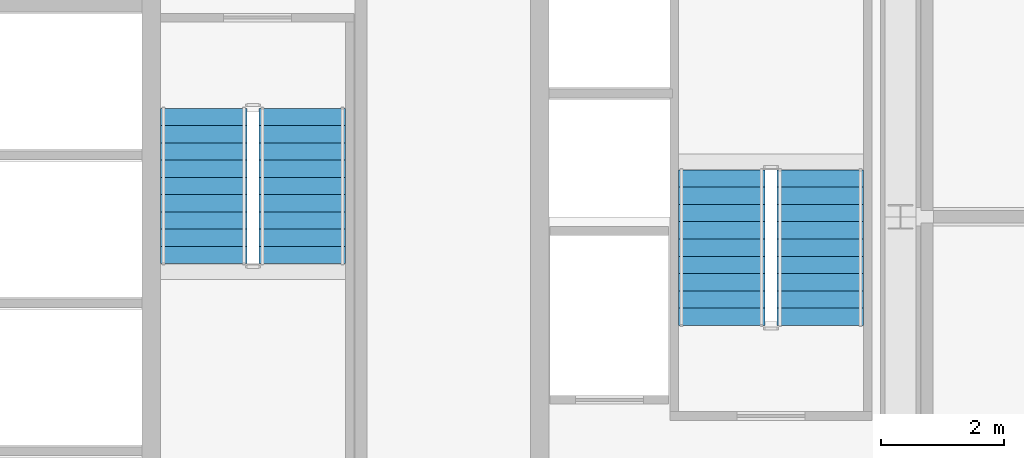
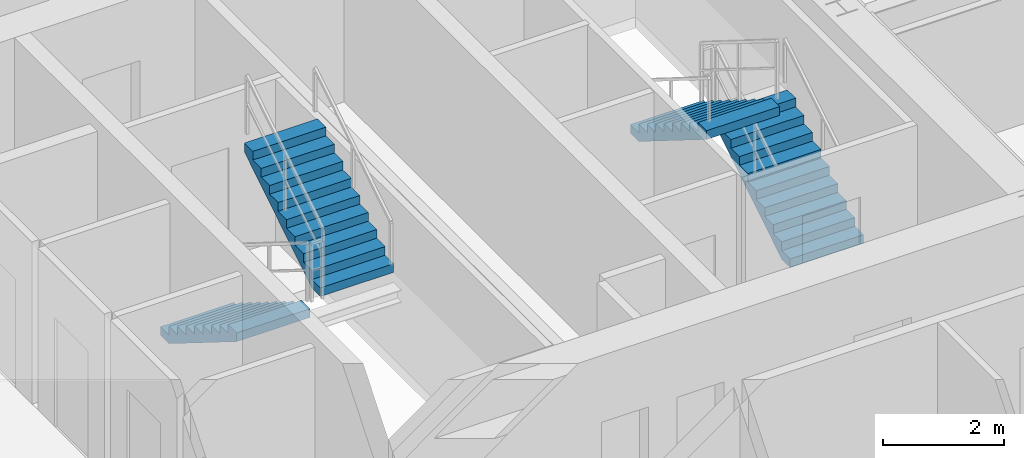
# One storey, part 37 of 38: 4 stair flights, 2 elements without a shape of their own.
"""IFC4 building model written with IfcOpenShell, lengths in metres."""

from ifc_helpers import new_model, si_unit, direction, frame, origin, place, context, subcontext, project, spatial, polyline, outline, extrude, source, transform, mapped, material, type_object, element, aggregate, save


model = new_model("IFC4")

# Units and contexts
model_context = context("Model", 3, precision=1e-05, world=origin(), true_north=direction((0.0, 1.0)))
body_context = subcontext(model_context, "Body", "Model", "MODEL_VIEW")
ifc_project = project(units=[si_unit("LENGTHUNIT", "METRE"), si_unit("AREAUNIT", "SQUARE_METRE"), si_unit("VOLUMEUNIT", "CUBIC_METRE"), si_unit("PLANEANGLEUNIT", "RADIAN"), si_unit("MASSUNIT", "GRAM", prefix="KILO"), si_unit("THERMODYNAMICTEMPERATUREUNIT", "KELVIN"), si_unit("POWERUNIT", "WATT")], contexts=[model_context])

# Site, building, storey
site_placement = place(None, origin())
site = spatial("IfcSite", under=ifc_project, at=site_placement, CompositionType="ELEMENT")
building_placement = place(site_placement, origin())
building = spatial("IfcBuilding", under=site, at=building_placement, Name="Yuzanri Waterfront Tower", CompositionType="ELEMENT")
storey_placement = place(building_placement, frame((0.0, 0.0, 209.0)))
storey = spatial("IfcBuildingStorey", under=building, at=storey_placement, Name="L55", CompositionType="ELEMENT", Elevation=209.0)

# Stair, stair flights
ifc_material_1 = material(Name="Concrete C40", Category="concrete")
stair_type = type_object("IfcStairType", Name="Concrete C40 Core Dogleg Exit Stair", PredefinedType="HALF_TURN_STAIR", material=ifc_material_1)
stair_1_placement = place(storey_placement, origin())
stair_1 = element("IfcStair", 1, at=stair_1_placement, inside=storey, type_object=stair_type, Name="L55 Smoke-Proof Core Stair ST-02", PredefinedType="HALF_TURN_STAIR")
ifc_material_2 = material(Name="Concrete C40", Category="concrete")
stair_flight_type = type_object("IfcStairFlightType", Name="Concrete C40 Precast Stair Flight 1380", PredefinedType="STRAIGHT", material=ifc_material_2)
shared_shape = source(origin(), body_context, "Body", "SweptSolid", [
    extrude(outline(polyline([(0.0, 0.0), (0.0, 0.175048828125), (0.280029296875, 0.175048828125), (0.280029296875, 0.35009765625), (0.56005859375, 0.35009765625), (0.56005859375, 0.52490234375), (0.840087890625, 0.52490234375), (0.840087890625, 0.699951171875), (1.1201171875, 0.699951171875), (1.1201171875, 0.875), (1.39990234375, 0.875), (1.39990234375, 1.050048828125), (1.679931640625, 1.050048828125), (1.679931640625, 1.22509765625), (1.9599609375, 1.22509765625), (1.9599609375, 1.39990234375), (2.239990234375, 1.39990234375), (2.239990234375, 1.574951171875), (2.52001953125, 1.574951171875), (2.52001953125, 1.75), (2.52001953125, 1.398193359375), (0.28271484375, 0.0), (0.0, 0.0)])), frame((0.0, 0.699951171875, 0.0), z_axis=(0.0, -1.0, 0.0), x_axis=(1.0, 0.0, 0.0)), (0.0, 0.0, 1.0), 1.39990234375),
])
stair_flight_1_placement = place(storey_placement, frame((48.89990234375, 24.0400390625, 0.0), z_axis=(0.0, 0.0, 1.0), x_axis=(0.0, 1.0, 0.0)))
stair_flight_1 = element("IfcStairFlight", 2, at=stair_flight_1_placement, type_object=stair_flight_type, Name="ST-02 flight 1", NumberOfRisers=10, NumberOfTreads=9, PredefinedType="STRAIGHT", RiserHeight=0.175, TreadLength=0.28, context=body_context, shape_type="MappedRepresentation", body=[
    mapped(shared_shape, transform((0.0, 0.0, 0.0), scale=1.0)),
])
stair_flight_2_placement = place(storey_placement, frame((47.300048828125, 26.56005859375, 1.75), z_axis=(0.0, 0.0, 1.0), x_axis=(0.0, -1.0, 0.0)))
stair_flight_2 = element("IfcStairFlight", 3, at=stair_flight_2_placement, type_object=stair_flight_type, Name="ST-02 flight 2", NumberOfRisers=10, NumberOfTreads=9, PredefinedType="STRAIGHT", RiserHeight=0.175, TreadLength=0.28, context=body_context, shape_type="MappedRepresentation", body=[
    mapped(shared_shape, transform((0.0, 0.0, 0.0), scale=1.0)),
])
aggregate(stair_1, [stair_flight_1, stair_flight_2])

stair_2_placement = place(storey_placement, origin())
stair_2 = element("IfcStair", 4, at=stair_2_placement, inside=storey, type_object=stair_type, Name="L55 Smoke-Proof Core Stair ST-03", PredefinedType="HALF_TURN_STAIR")
stair_flight_3_placement = place(storey_placement, frame((38.89990234375, 27.56005859375, 0.0), z_axis=(0.0, 0.0, 1.0), x_axis=(0.0, -1.0, 0.0)))
stair_flight_3 = element("IfcStairFlight", 5, at=stair_flight_3_placement, type_object=stair_flight_type, Name="ST-03 flight 1", NumberOfRisers=10, NumberOfTreads=9, PredefinedType="STRAIGHT", RiserHeight=0.175, TreadLength=0.28, context=body_context, shape_type="MappedRepresentation", body=[
    mapped(shared_shape, transform((0.0, 0.0, 0.0), scale=1.0)),
])
stair_flight_4_placement = place(storey_placement, frame((40.5, 25.0400390625, 1.75), z_axis=(0.0, 0.0, 1.0), x_axis=(0.0, 1.0, 0.0)))
stair_flight_4 = element("IfcStairFlight", 6, at=stair_flight_4_placement, type_object=stair_flight_type, Name="ST-03 flight 2", NumberOfRisers=10, NumberOfTreads=9, PredefinedType="STRAIGHT", RiserHeight=0.175, TreadLength=0.28, context=body_context, shape_type="MappedRepresentation", body=[
    mapped(shared_shape, transform((0.0, 0.0, 0.0), scale=1.0)),
])
aggregate(stair_2, [stair_flight_3, stair_flight_4])

save(model, "model.ifc")
